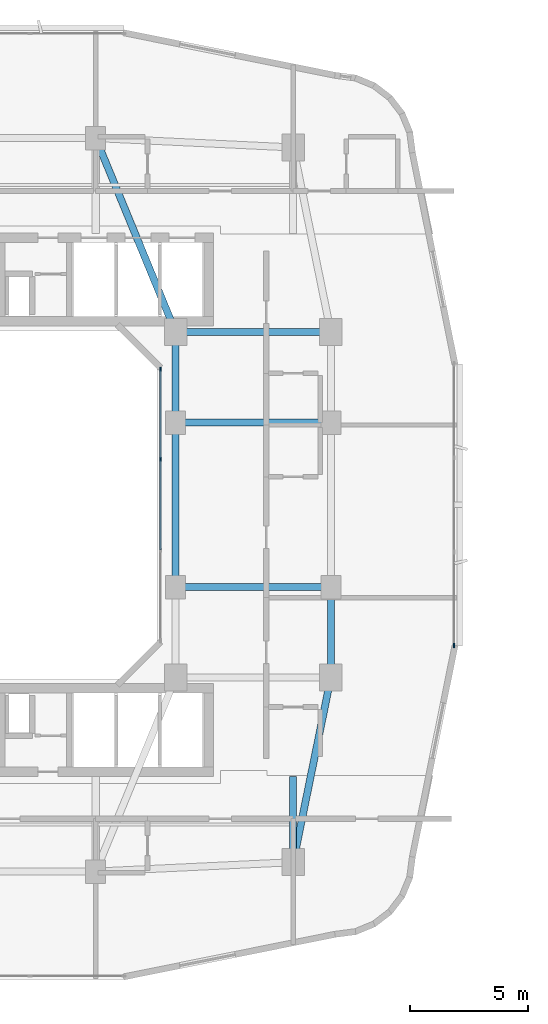
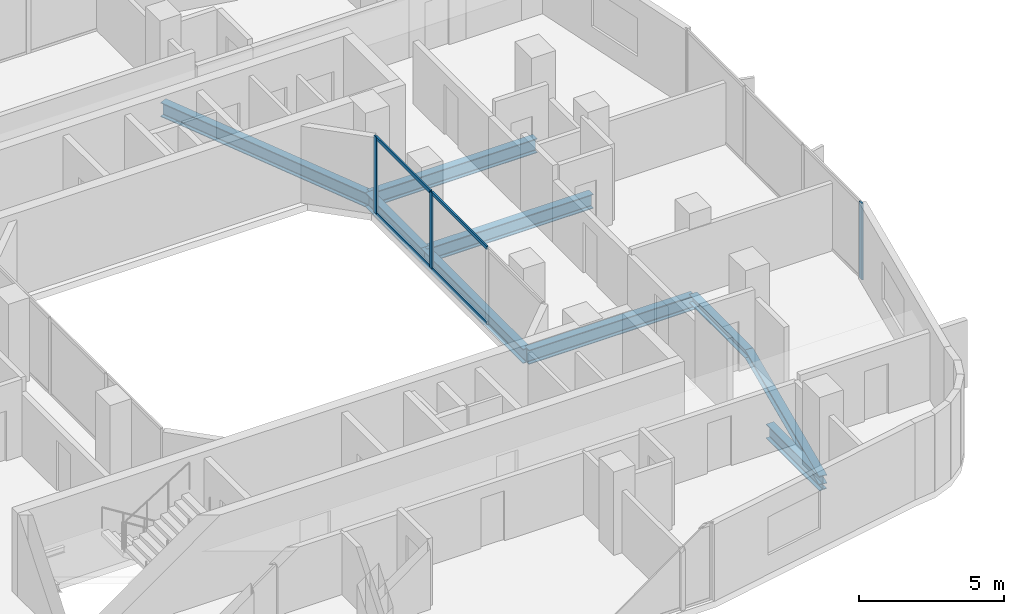
# One storey, part 4 of 26: 9 beams, 7 members, 2 elements without a shape of their own.
"""IFC4 building model written with IfcOpenShell, lengths in metres."""

from ifc_helpers import new_model, si_unit, derived_unit, direction, frame, origin, origin_2d, place, context, subcontext, project, spatial, rectangle, i_section, extrude, material, layer, layer_set, material_profile, profile_set, type_object, element, aggregate, save


model = new_model("IFC4")

# Units and contexts
model_context = context("Model", 3, precision=1e-05, world=origin(), true_north=direction((0.0, 1.0)))
body_context = subcontext(model_context, "Body", "Model", "MODEL_VIEW")
ifc_project = project(units=[si_unit("LENGTHUNIT", "METRE"), si_unit("AREAUNIT", "SQUARE_METRE"), si_unit("VOLUMEUNIT", "CUBIC_METRE"), si_unit("PLANEANGLEUNIT", "RADIAN"), si_unit("MASSUNIT", "GRAM", prefix="KILO"), derived_unit("THERMALTRANSMITTANCEUNIT", [(si_unit("POWERUNIT", "WATT"), 1), (si_unit("LENGTHUNIT", "METRE"), -2), (si_unit("THERMODYNAMICTEMPERATUREUNIT", "KELVIN"), -1)])], contexts=[model_context])

# Site, building, storey
site_placement = place(None, origin())
site = spatial("IfcSite", under=ifc_project, at=site_placement, CompositionType="ELEMENT")
building_placement = place(site_placement, origin())
building = spatial("IfcBuilding", under=site, at=building_placement, Name="Kivonza Crest Hotel", CompositionType="ELEMENT")
storey_placement = place(building_placement, frame((0.0, 0.0, 98.5)))
storey = spatial("IfcBuildingStorey", under=building, at=storey_placement, Name="L26", CompositionType="ELEMENT", Elevation=98.5)

# Beams
ifc_material_1 = material(Name="Steel S355", Category="steel")
ifc_material_profile_1 = material_profile(ifc_material_1, i_section(OverallWidth=0.300048828125, OverallDepth=0.360107421875, WebThickness=0.012451171875, FlangeThickness=0.0224609375, FilletRadius=0.027099609375, at=origin_2d()), Name="HEB 360")
ifc_profile_set_1 = profile_set([ifc_material_profile_1], Name="Steel S355")
beam_type_1 = type_object("IfcBeamType", Name="BM-HEB360", PredefinedType="SPANDREL", material=ifc_profile_set_1)
beam_1_placement = place(storey_placement, frame((34.199951171875, 9.800048828125, -0.4599609375), z_axis=(0.199730733965, 0.979850822273, 0.0), x_axis=(-0.979850822273, 0.199730733965, 0.0)))
element("IfcBeam", 1, at=beam_1_placement, inside=storey, type_object=beam_type_1, Name="Tower T1 L26 perimeter spandrel SE-PSE", PredefinedType="SPANDREL", context=body_context, shape_type="SweptSolid", body=[
    extrude(i_section(OverallWidth=0.300048828125, OverallDepth=0.360107421875, WebThickness=0.012451171875, FlangeThickness=0.0224609375, FilletRadius=0.027099609375, at=origin_2d()), origin(), (0.0, 0.0, 1.0), 8.01123046875),
])
beam_2_placement = place(storey_placement, frame((35.800048828125, 17.64990234375, -0.4599609375), z_axis=(0.0, 1.0, 0.0), x_axis=(-1.0, 0.0, 0.0)))
element("IfcBeam", 2, at=beam_2_placement, inside=storey, type_object=beam_type_1, Name="Tower T1 L26 perimeter spandrel PSE-E1", PredefinedType="SPANDREL", context=body_context, shape_type="SweptSolid", body=[
    extrude(i_section(OverallWidth=0.300048828125, OverallDepth=0.360107421875, WebThickness=0.012451171875, FlangeThickness=0.0224609375, FilletRadius=0.027099609375, at=origin_2d()), origin(), (0.0, 0.0, 1.0), 3.85009765625),
])
ifc_material_profile_2 = material_profile(ifc_material_1, i_section(OverallWidth=0.300048828125, OverallDepth=0.60009765625, WebThickness=0.015380859375, FlangeThickness=0.030029296875, FilletRadius=0.027099609375, at=origin_2d()), Name="HEB 600")
ifc_profile_set_2 = profile_set([ifc_material_profile_2], Name="Steel S355")
beam_type_2 = type_object("IfcBeamType", Name="BM-HEB600", PredefinedType="BEAM", material=ifc_profile_set_2)
beam_3_placement = place(storey_placement, frame((25.800048828125, 40.60009765625, -0.580078125), z_axis=(0.381022260404, -0.924565864109, 0.0), x_axis=(0.924565864109, 0.381022260404, 0.0)))
element("IfcBeam", 3, at=beam_3_placement, inside=storey, type_object=beam_type_2, Name="Tower T1 L26 primary girder N1-TNE", PredefinedType="BEAM", context=body_context, shape_type="SweptSolid", body=[
    extrude(i_section(OverallWidth=0.300048828125, OverallDepth=0.60009765625, WebThickness=0.015380859375, FlangeThickness=0.030029296875, FilletRadius=0.027099609375, at=origin_2d()), origin(), (0.0, 0.0, 1.0), 8.923095703125),
])
beam_4_placement = place(storey_placement, frame((29.199951171875, 32.35009765625, -0.580078125), z_axis=(1.0, 0.0, 0.0), x_axis=(0.0, 1.0, 0.0)))
element("IfcBeam", 4, at=beam_4_placement, inside=storey, type_object=beam_type_2, Name="Tower T1 L26 primary girder TNE-PNE", PredefinedType="BEAM", context=body_context, shape_type="SweptSolid", body=[
    extrude(i_section(OverallWidth=0.300048828125, OverallDepth=0.60009765625, WebThickness=0.015380859375, FlangeThickness=0.030029296875, FilletRadius=0.027099609375, at=origin_2d()), origin(), (0.0, 0.0, 1.0), 6.60009765625),
])
beam_5_placement = place(storey_placement, frame((29.199951171875, 21.5, -0.580078125), z_axis=(0.0, 1.0, 0.0), x_axis=(-1.0, 0.0, 0.0)))
element("IfcBeam", 5, at=beam_5_placement, inside=storey, type_object=beam_type_2, Name="Tower T1 L26 primary girder WR1-WR2", PredefinedType="BEAM", context=body_context, shape_type="SweptSolid", body=[
    extrude(i_section(OverallWidth=0.300048828125, OverallDepth=0.60009765625, WebThickness=0.015380859375, FlangeThickness=0.030029296875, FilletRadius=0.027099609375, at=origin_2d()), origin(), (0.0, 0.0, 1.0), 7.0),
])
beam_6_placement = place(storey_placement, frame((29.199951171875, 28.5, -0.580078125), z_axis=(0.0, 1.0, 0.0), x_axis=(-1.0, 0.0, 0.0)))
element("IfcBeam", 6, at=beam_6_placement, inside=storey, type_object=beam_type_2, Name="Tower T1 L26 primary girder WR2-TNE", PredefinedType="BEAM", context=body_context, shape_type="SweptSolid", body=[
    extrude(i_section(OverallWidth=0.300048828125, OverallDepth=0.60009765625, WebThickness=0.015380859375, FlangeThickness=0.030029296875, FilletRadius=0.027099609375, at=origin_2d()), origin(), (0.0, 0.0, 1.0), 3.85009765625),
])
for number, where, z_axis, x_axis, name in (
    (7, (29.199951171875, 21.5, -0.580078125), (1.0, 0.0, 0.0), (0.0, 1.0, 0.0), "Tower T1 L26 primary girder WR1-E1"),
    (8, (29.199951171875, 28.5, -0.580078125), (1.0, 0.0, 0.0), (0.0, 1.0, 0.0), "Tower T1 L26 primary girder WR2-E2"),
):
    element("IfcBeam", number, at=place(storey_placement, frame(where, z_axis=z_axis, x_axis=x_axis)), inside=storey, type_object=beam_type_2, Name=name, PredefinedType="BEAM", context=body_context, shape_type="SweptSolid", body=[
        extrude(i_section(OverallWidth=0.300048828125, OverallDepth=0.60009765625, WebThickness=0.015380859375, FlangeThickness=0.030029296875, FilletRadius=0.027099609375, at=origin_2d()), origin(), (0.0, 0.0, 1.0), 6.60009765625),
    ])
beam_7_placement = place(storey_placement, frame((34.199951171875, 9.800048828125, -0.580078125), z_axis=(0.0, 1.0, 0.0), x_axis=(-1.0, 0.0, 0.0)))
element("IfcBeam", 9, at=beam_7_placement, inside=storey, type_object=beam_type_2, Name="Tower T1 L26 radial core girder RSE", PredefinedType="BEAM", context=body_context, shape_type="SweptSolid", body=[
    extrude(i_section(OverallWidth=0.300048828125, OverallDepth=0.60009765625, WebThickness=0.015380859375, FlangeThickness=0.030029296875, FilletRadius=0.027099609375, at=origin_2d()), origin(), (0.0, 0.0, 1.0), 3.64990234375),
])

# Curtain wall, member
ifc_material_2 = material(Name="Anodised bronze aluminium and low-E double glazing", Category="aluminium")
ifc_layer_1 = layer(ifc_material_2, 0.179931640625)
ifc_layer_set_1 = layer_set([ifc_layer_1], Name="Anodised bronze aluminium and low-E double glazing")
curtain_wall_type_1 = type_object("IfcCurtainWallType", Name="CW-SYS-2", PredefinedType="NOTDEFINED", material=ifc_layer_set_1)
curtain_wall_1_placement = place(storey_placement, origin())
curtain_wall_1 = element("IfcCurtainWall", 10, at=curtain_wall_1_placement, inside=storey, type_object=curtain_wall_type_1, Name="L26 unitised curtain wall CW-T1-L26-17", PredefinedType="NOTDEFINED")
ifc_material_3 = material(Name="Anodised bronze aluminium", Category="aluminium")
ifc_material_profile_3 = material_profile(ifc_material_3, rectangle(XDim=0.06494140625, YDim=0.179931640625, at=origin_2d()), Name="CW-M 65x180")
ifc_profile_set_3 = profile_set([ifc_material_profile_3], Name="Anodised bronze aluminium")
member_type_1 = type_object("IfcMemberType", Name="CW-MUL-65x180", PredefinedType="MULLION", material=ifc_profile_set_3)
member_1_placement = place(storey_placement, frame((41.0400390625, 19.012451171875, 0.0), z_axis=(0.0, 0.0, 1.0), x_axis=(-1.0, 0.0, 0.0)))
member_1 = element("IfcMember", 11, at=member_1_placement, type_object=member_type_1, Name="CW-2 mullion 1", PredefinedType="MULLION", context=body_context, shape_type="SweptSolid", body=[
    extrude(rectangle(XDim=0.06494140625, YDim=0.179931640625, at=origin_2d()), origin(), (0.0, 0.0, 1.0), 3.219970703125),
])
aggregate(curtain_wall_1, [member_1])

# Curtain wall, members
ifc_layer_2 = layer(ifc_material_2, 0.159912109375)
ifc_layer_set_2 = layer_set([ifc_layer_2], Name="Anodised bronze aluminium and low-E double glazing")
curtain_wall_type_2 = type_object("IfcCurtainWallType", Name="CW-SYS-5", PredefinedType="NOTDEFINED", material=ifc_layer_set_2)
curtain_wall_2_placement = place(storey_placement, origin())
curtain_wall_2 = element("IfcCurtainWall", 12, at=curtain_wall_2_placement, inside=storey, type_object=curtain_wall_type_2, Name="L26 unitised curtain wall CW-WELL-T1-L26-3", PredefinedType="NOTDEFINED")
member_2_placement = place(storey_placement, frame((28.56005859375, 26.933349609375, 0.0), z_axis=(0.0, 0.0, 1.0), x_axis=(-1.0, 0.0, 0.0)))
member_2 = element("IfcMember", 13, at=member_2_placement, type_object=member_type_1, Name="CW-5 mullion 3", PredefinedType="MULLION", context=body_context, shape_type="SweptSolid", body=[
    extrude(rectangle(XDim=0.06494140625, YDim=0.179931640625, at=origin_2d()), origin(), (0.0, 0.0, 1.0), 3.219970703125),
])
member_3_placement = place(storey_placement, frame((28.56005859375, 30.767578125, 0.0), z_axis=(0.0, 0.0, 1.0), x_axis=(-1.0, 0.0, 0.0)))
member_3 = element("IfcMember", 14, at=member_3_placement, type_object=member_type_1, Name="CW-5 mullion 4", PredefinedType="MULLION", context=body_context, shape_type="SweptSolid", body=[
    extrude(rectangle(XDim=0.06494140625, YDim=0.179931640625, at=origin_2d()), origin(), (0.0, 0.0, 1.0), 3.219970703125),
])
ifc_material_profile_4 = material_profile(ifc_material_3, rectangle(XDim=0.06494140625, YDim=0.139892578125, at=origin_2d()), Name="CW-T 65x140")
ifc_profile_set_4 = profile_set([ifc_material_profile_4], Name="Anodised bronze aluminium")
member_type_2 = type_object("IfcMemberType", Name="CW-TRN-65x140", PredefinedType="USERDEFINED", material=ifc_profile_set_4)
member_4_placement = place(storey_placement, frame((28.56005859375, 23.09912109375, 0.032470703125), z_axis=(0.0, 1.0, 0.0), x_axis=(-1.0, 0.0, 0.0)))
member_4 = element("IfcMember", 15, at=member_4_placement, type_object=member_type_2, Name="CW-5 transom 2.1", ObjectType="TRANSOM", PredefinedType="USERDEFINED", context=body_context, shape_type="SweptSolid", body=[
    extrude(rectangle(XDim=0.06494140625, YDim=0.139892578125, at=origin_2d()), origin(), (0.0, 0.0, 1.0), 3.8017578125),
])
member_5_placement = place(storey_placement, frame((28.56005859375, 23.09912109375, 3.1875), z_axis=(0.0, 1.0, 0.0), x_axis=(-1.0, 0.0, 0.0)))
member_5 = element("IfcMember", 16, at=member_5_placement, type_object=member_type_2, Name="CW-5 transom 2.2", ObjectType="TRANSOM", PredefinedType="USERDEFINED", context=body_context, shape_type="SweptSolid", body=[
    extrude(rectangle(XDim=0.06494140625, YDim=0.139892578125, at=origin_2d()), origin(), (0.0, 0.0, 1.0), 3.8017578125),
])
member_6_placement = place(storey_placement, frame((28.56005859375, 26.9658203125, 0.032470703125), z_axis=(0.0, 1.0, 0.0), x_axis=(-1.0, 0.0, 0.0)))
member_6 = element("IfcMember", 17, at=member_6_placement, type_object=member_type_2, Name="CW-5 transom 3.1", ObjectType="TRANSOM", PredefinedType="USERDEFINED", context=body_context, shape_type="SweptSolid", body=[
    extrude(rectangle(XDim=0.06494140625, YDim=0.139892578125, at=origin_2d()), origin(), (0.0, 0.0, 1.0), 3.769287109375),
])
member_7_placement = place(storey_placement, frame((28.56005859375, 26.9658203125, 3.1875), z_axis=(0.0, 1.0, 0.0), x_axis=(-1.0, 0.0, 0.0)))
member_7 = element("IfcMember", 18, at=member_7_placement, type_object=member_type_2, Name="CW-5 transom 3.2", ObjectType="TRANSOM", PredefinedType="USERDEFINED", context=body_context, shape_type="SweptSolid", body=[
    extrude(rectangle(XDim=0.06494140625, YDim=0.139892578125, at=origin_2d()), origin(), (0.0, 0.0, 1.0), 3.769287109375),
])
aggregate(curtain_wall_2, [member_2, member_3, member_4, member_5, member_6, member_7])

save(model, "model.ifc")
